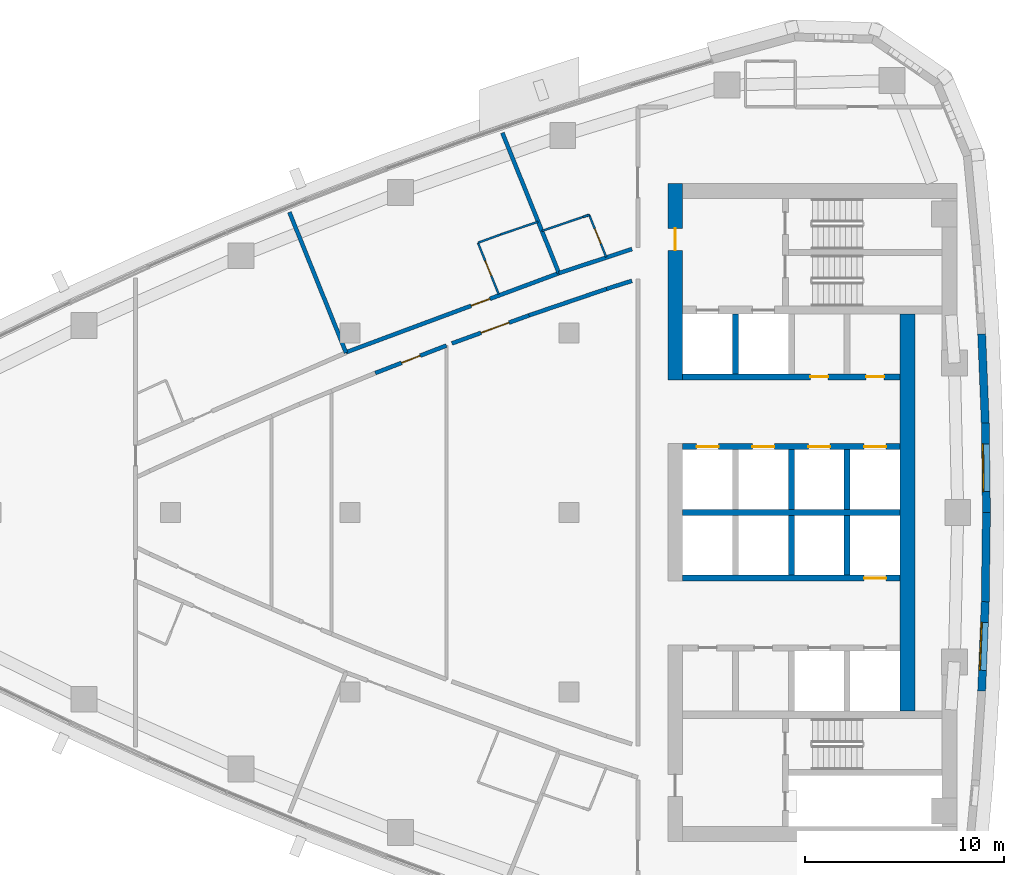
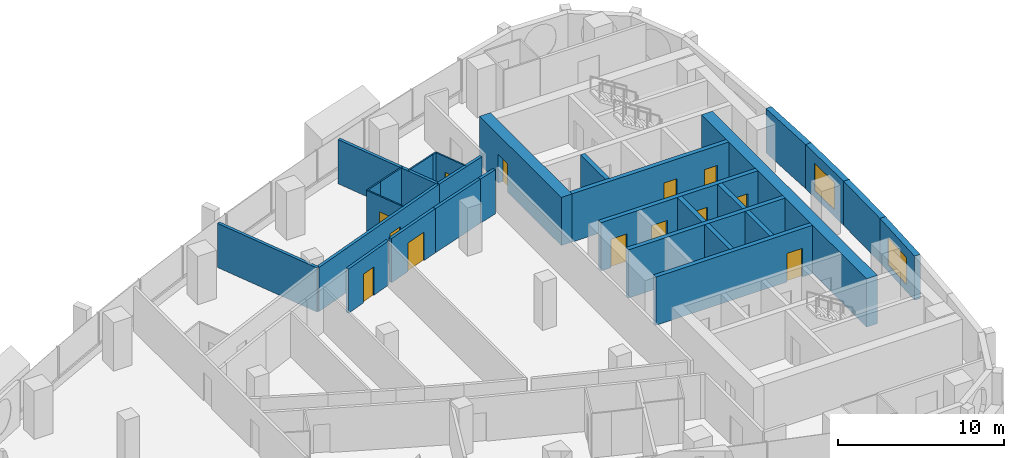
# One storey, part 11 of 17: 29 walls, 13 doors, 2 windows, 15 openings.
"""IFC4 building model written with IfcOpenShell, lengths in metres."""

from ifc_helpers import new_model, si_unit, direction, frame, frame_2d, origin, place, context, subcontext, project, spatial, polyline, rectangle, outline, extrude, material, layer, layer_set, type_object, element, fill, save


model = new_model("IFC4")

# Units and contexts
model_context = context("Model", 3, precision=1e-05, world=origin(), true_north=direction((0.0, 1.0)))
body_context = subcontext(model_context, "Body", "Model", "MODEL_VIEW")
ifc_project = project(units=[si_unit("LENGTHUNIT", "METRE"), si_unit("AREAUNIT", "SQUARE_METRE"), si_unit("VOLUMEUNIT", "CUBIC_METRE"), si_unit("PLANEANGLEUNIT", "RADIAN"), si_unit("MASSUNIT", "GRAM", prefix="KILO")], contexts=[model_context])

# Site, building, storey
site_placement = place(None, origin())
site = spatial("IfcSite", under=ifc_project, at=site_placement, CompositionType="ELEMENT")
building_placement = place(site_placement, origin())
building = spatial("IfcBuilding", under=site, at=building_placement, Name="Ostrand Prow Hotel Tower", CompositionType="ELEMENT")
storey_placement = place(building_placement, frame((0.0, 0.0, 182.60009765625)))
storey = spatial("IfcBuildingStorey", under=building, at=storey_placement, Name="L45", CompositionType="ELEMENT", Elevation=182.60009765625)

# Wall
ifc_material_1 = material(Name="Concrete C60/75", Category="concrete")
ifc_layer_1 = layer(ifc_material_1, 0.300048828125)
ifc_layer_set_1 = layer_set([ifc_layer_1], Name="Concrete C60/75")
wall_type_1 = type_object("IfcWallType", Name="Core wall 300 C60/75", PredefinedType="SHEAR", material=ifc_layer_set_1)
wall_1_placement = place(storey_placement, frame((50.699951171875, 0.0, 0.0), z_axis=(0.0, 0.0, 1.0), x_axis=(1.0, 0.0, 0.0)))
element("IfcWall", 1, at=wall_1_placement, inside=storey, type_object=wall_type_1, Name="Core wall PW-C", PredefinedType="SHEAR", context=body_context, shape_type="SweptSolid", body=[
    extrude(rectangle(XDim=10.900146484375, YDim=0.300048828125, at=frame_2d((5.4501953125, 0.0))), origin(), (0.0, 0.0, 1.0), 3.5498046875),
])

# Wall, openings, doors
wall_2_placement = place(storey_placement, frame((50.699951171875, 3.300048828125, 0.0), z_axis=(0.0, 0.0, 1.0), x_axis=(1.0, 0.0, 0.0)))
wall_2 = element("IfcWall", 2, at=wall_2_placement, inside=storey, type_object=wall_type_1, Name="Core wall PW-L1-N", PredefinedType="SHEAR", context=body_context, shape_type="SweptSolid", body=[
    extrude(rectangle(XDim=10.900146484375, YDim=0.300048828125, at=frame_2d((5.4501953125, 0.0))), origin(), (0.0, 0.0, 1.0), 3.5498046875),
])
opening_1_placement = place(wall_2_placement, frame((0.699951171875, 0.0, 0.0)))
opening_1 = element("IfcOpeningElement", 3, at=opening_1_placement, cuts=wall_2, Name="Opening LD", PredefinedType="OPENING", context=body_context, shape_type="SweptSolid", body=[
    extrude(rectangle(XDim=1.10009765625, YDim=2.10009765625, at=frame_2d((0.550048828125, 1.050048828125))), frame((0.0, 0.159912109375, 0.0), z_axis=(0.0, -1.0, 0.0), x_axis=(1.0, 0.0, 0.0)), (0.0, 0.0, 1.0), 0.320068359375),
])
opening_2_placement = place(wall_2_placement, frame((3.5, 0.0, 0.0)))
opening_2 = element("IfcOpeningElement", 4, at=opening_2_placement, cuts=wall_2, Name="Opening LD", PredefinedType="OPENING", context=body_context, shape_type="SweptSolid", body=[
    extrude(rectangle(XDim=1.10009765625, YDim=2.10009765625, at=frame_2d((0.550048828125, 1.050048828125))), frame((0.0, 0.159912109375, 0.0), z_axis=(0.0, -1.0, 0.0), x_axis=(1.0, 0.0, 0.0)), (0.0, 0.0, 1.0), 0.320068359375),
])
opening_3_placement = place(wall_2_placement, frame((6.300048828125, 0.0, 0.0)))
opening_3 = element("IfcOpeningElement", 5, at=opening_3_placement, cuts=wall_2, Name="Opening LD", PredefinedType="OPENING", context=body_context, shape_type="SweptSolid", body=[
    extrude(rectangle(XDim=1.10009765625, YDim=2.10009765625, at=frame_2d((0.550048828125, 1.050048828125))), frame((0.0, 0.159912109375, 0.0), z_axis=(0.0, -1.0, 0.0), x_axis=(1.0, 0.0, 0.0)), (0.0, 0.0, 1.0), 0.320068359375),
])
opening_4_placement = place(wall_2_placement, frame((9.10009765625, 0.0, 0.0)))
opening_4 = element("IfcOpeningElement", 6, at=opening_4_placement, cuts=wall_2, Name="Opening LD", PredefinedType="OPENING", context=body_context, shape_type="SweptSolid", body=[
    extrude(rectangle(XDim=1.10009765625, YDim=2.10009765625, at=frame_2d((0.550048828125, 1.050048828125))), frame((0.0, 0.159912109375, 0.0), z_axis=(0.0, -1.0, 0.0), x_axis=(1.0, 0.0, 0.0)), (0.0, 0.0, 1.0), 0.320068359375),
])
ifc_material_2 = material(Name="Stainless steel door", Category="steel")
door_type_1 = type_object("IfcDoorType", Name="Lift landing door 1100", OperationType="DOUBLE_DOOR_SLIDING", PredefinedType="DOOR", material=ifc_material_2)
door_1_placement = place(opening_1_placement, origin())
door_1 = element("IfcDoor", 7, at=door_1_placement, inside=storey, type_object=door_type_1, Name="LIFT LANDING DOOR", OperationType="DOUBLE_DOOR_SLIDING", OverallHeight=2.10009765625, OverallWidth=1.10009765625, PredefinedType="DOOR", context=body_context, shape_type="SweptSolid", body=[
    extrude(rectangle(XDim=1.10009765625, YDim=2.10009765625, at=frame_2d((0.550048828125, 1.050048828125))), frame((0.0, 0.02490234375, 0.0), z_axis=(0.0, -1.0, 0.0), x_axis=(1.0, 0.0, 0.0)), (0.0, 0.0, 1.0), 0.050048828125),
])
fill(opening_1, door_1)
door_2_placement = place(opening_2_placement, origin())
door_2 = element("IfcDoor", 8, at=door_2_placement, inside=storey, type_object=door_type_1, Name="LIFT LANDING DOOR", OperationType="DOUBLE_DOOR_SLIDING", OverallHeight=2.10009765625, OverallWidth=1.10009765625, PredefinedType="DOOR", context=body_context, shape_type="SweptSolid", body=[
    extrude(rectangle(XDim=1.10009765625, YDim=2.10009765625, at=frame_2d((0.550048828125, 1.050048828125))), frame((0.0, 0.02490234375, 0.0), z_axis=(0.0, -1.0, 0.0), x_axis=(1.0, 0.0, 0.0)), (0.0, 0.0, 1.0), 0.050048828125),
])
fill(opening_2, door_2)
door_3_placement = place(opening_3_placement, origin())
door_3 = element("IfcDoor", 9, at=door_3_placement, inside=storey, type_object=door_type_1, Name="LIFT LANDING DOOR", OperationType="DOUBLE_DOOR_SLIDING", OverallHeight=2.10009765625, OverallWidth=1.10009765625, PredefinedType="DOOR", context=body_context, shape_type="SweptSolid", body=[
    extrude(rectangle(XDim=1.10009765625, YDim=2.10009765625, at=frame_2d((0.550048828125, 1.050048828125))), frame((0.0, 0.02490234375, 0.0), z_axis=(0.0, -1.0, 0.0), x_axis=(1.0, 0.0, 0.0)), (0.0, 0.0, 1.0), 0.050048828125),
])
fill(opening_3, door_3)
door_4_placement = place(opening_4_placement, origin())
door_4 = element("IfcDoor", 10, at=door_4_placement, inside=storey, type_object=door_type_1, Name="LIFT LANDING DOOR", OperationType="DOUBLE_DOOR_SLIDING", OverallHeight=2.10009765625, OverallWidth=1.10009765625, PredefinedType="DOOR", context=body_context, shape_type="SweptSolid", body=[
    extrude(rectangle(XDim=1.10009765625, YDim=2.10009765625, at=frame_2d((0.550048828125, 1.050048828125))), frame((0.0, 0.02490234375, 0.0), z_axis=(0.0, -1.0, 0.0), x_axis=(1.0, 0.0, 0.0)), (0.0, 0.0, 1.0), 0.050048828125),
])
fill(opening_4, door_4)

wall_3_placement = place(storey_placement, frame((50.699951171875, 6.800048828125, 0.0), z_axis=(0.0, 0.0, 1.0), x_axis=(1.0, 0.0, 0.0)))
wall_3 = element("IfcWall", 11, at=wall_3_placement, inside=storey, type_object=wall_type_1, Name="Core wall PW-L2-N", PredefinedType="SHEAR", context=body_context, shape_type="SweptSolid", body=[
    extrude(rectangle(XDim=10.900146484375, YDim=0.300048828125, at=frame_2d((5.4501953125, 0.0))), origin(), (0.0, 0.0, 1.0), 3.5498046875),
])
opening_5_placement = place(wall_3_placement, frame((6.39990234375, 0.0, 0.0)))
opening_5 = element("IfcOpeningElement", 12, at=opening_5_placement, cuts=wall_3, Name="Opening FD2", PredefinedType="OPENING", context=body_context, shape_type="SweptSolid", body=[
    extrude(rectangle(XDim=0.89990234375, YDim=2.10009765625, at=frame_2d((0.449951171875, 1.050048828125))), frame((0.0, 0.159912109375, 0.0), z_axis=(0.0, -1.0, 0.0), x_axis=(1.0, 0.0, 0.0)), (0.0, 0.0, 1.0), 0.320068359375),
])
opening_6_placement = place(wall_3_placement, frame((9.199951171875, 0.0, 0.0)))
opening_6 = element("IfcOpeningElement", 13, at=opening_6_placement, cuts=wall_3, Name="Opening FD2", PredefinedType="OPENING", context=body_context, shape_type="SweptSolid", body=[
    extrude(rectangle(XDim=0.89990234375, YDim=2.10009765625, at=frame_2d((0.449951171875, 1.050048828125))), frame((0.0, 0.159912109375, 0.0), z_axis=(0.0, -1.0, 0.0), x_axis=(1.0, 0.0, 0.0)), (0.0, 0.0, 1.0), 0.320068359375),
])
ifc_material_3 = material(Name="Steel fire door", Category="steel")
door_type_2 = type_object("IfcDoorType", Name="Fire door 900 EI120", OperationType="SINGLE_SWING_LEFT", PredefinedType="DOOR", material=ifc_material_3)
door_5_placement = place(opening_5_placement, origin())
door_5 = element("IfcDoor", 14, at=door_5_placement, inside=storey, type_object=door_type_2, Name="DOOR", OperationType="SINGLE_SWING_LEFT", OverallHeight=2.10009765625, OverallWidth=0.89990234375, PredefinedType="DOOR", context=body_context, shape_type="SweptSolid", body=[
    extrude(rectangle(XDim=0.89990234375, YDim=2.10009765625, at=frame_2d((0.449951171875, 1.050048828125))), frame((0.0, 0.02490234375, 0.0), z_axis=(0.0, -1.0, 0.0), x_axis=(1.0, 0.0, 0.0)), (0.0, 0.0, 1.0), 0.050048828125),
])
fill(opening_5, door_5)
door_6_placement = place(opening_6_placement, origin())
door_6 = element("IfcDoor", 15, at=door_6_placement, inside=storey, type_object=door_type_2, Name="DOOR", OperationType="SINGLE_SWING_LEFT", OverallHeight=2.10009765625, OverallWidth=0.89990234375, PredefinedType="DOOR", context=body_context, shape_type="SweptSolid", body=[
    extrude(rectangle(XDim=0.89990234375, YDim=2.10009765625, at=frame_2d((0.449951171875, 1.050048828125))), frame((0.0, 0.02490234375, 0.0), z_axis=(0.0, -1.0, 0.0), x_axis=(1.0, 0.0, 0.0)), (0.0, 0.0, 1.0), 0.050048828125),
])
fill(opening_6, door_6)

# Walls
for number, where, z_axis, x_axis, name in (
    (16, (53.35009765625, 6.949951171875, 0.0), (0.0, 0.0, 1.0), (0.0, 1.0, 0.0), "Core wall PW-R1-NA"),
    (17, (56.14990234375, 0.14990234375, 0.0), (0.0, 0.0, 1.0), (0.0, 1.0, 0.0), "Core wall PW-R2-NB"),
    (18, (58.949951171875, 0.14990234375, 0.0), (0.0, 0.0, 1.0), (0.0, 1.0, 0.0), "Core wall PW-R3-NB"),
):
    element("IfcWall", number, at=place(storey_placement, frame(where, z_axis=z_axis, x_axis=x_axis)), inside=storey, type_object=wall_type_1, Name=name, PredefinedType="SHEAR", context=body_context, shape_type="SweptSolid", body=[
        extrude(rectangle(XDim=3.0, YDim=0.300048828125, at=frame_2d((1.5, 0.0))), origin(), (0.0, 0.0, 1.0), 3.5498046875),
    ])

# Wall, opening, door
wall_4_placement = place(storey_placement, frame((50.699951171875, -3.300048828125, 0.0), z_axis=(0.0, 0.0, 1.0), x_axis=(1.0, 0.0, 0.0)))
wall_4 = element("IfcWall", 19, at=wall_4_placement, inside=storey, type_object=wall_type_1, Name="Core wall PW-L1-S", PredefinedType="SHEAR", context=body_context, shape_type="SweptSolid", body=[
    extrude(rectangle(XDim=10.900146484375, YDim=0.300048828125, at=frame_2d((5.4501953125, 0.0))), origin(), (0.0, 0.0, 1.0), 3.5498046875),
])
opening_7_placement = place(wall_4_placement, frame((9.10009765625, 0.0, 0.0)))
opening_7 = element("IfcOpeningElement", 20, at=opening_7_placement, cuts=wall_4, Name="Opening LD", PredefinedType="OPENING", context=body_context, shape_type="SweptSolid", body=[
    extrude(rectangle(XDim=1.10009765625, YDim=2.10009765625, at=frame_2d((0.550048828125, 1.050048828125))), frame((0.0, 0.159912109375, 0.0), z_axis=(0.0, -1.0, 0.0), x_axis=(1.0, 0.0, 0.0)), (0.0, 0.0, 1.0), 0.320068359375),
])
door_7_placement = place(opening_7_placement, origin())
door_7 = element("IfcDoor", 21, at=door_7_placement, inside=storey, type_object=door_type_1, Name="LIFT LANDING DOOR", OperationType="DOUBLE_DOOR_SLIDING", OverallHeight=2.10009765625, OverallWidth=1.10009765625, PredefinedType="DOOR", context=body_context, shape_type="SweptSolid", body=[
    extrude(rectangle(XDim=1.10009765625, YDim=2.10009765625, at=frame_2d((0.550048828125, 1.050048828125))), frame((0.0, 0.02490234375, 0.0), z_axis=(0.0, -1.0, 0.0), x_axis=(1.0, 0.0, 0.0)), (0.0, 0.0, 1.0), 0.050048828125),
])
fill(opening_7, door_7)

# Walls
for number, where, z_axis, x_axis, name in (
    (22, (56.14990234375, -3.14990234375, 0.0), (0.0, 0.0, 1.0), (0.0, 1.0, 0.0), "Core wall PW-R2-SB"),
    (23, (58.949951171875, -3.14990234375, 0.0), (0.0, 0.0, 1.0), (0.0, 1.0, 0.0), "Core wall PW-R3-SB"),
):
    element("IfcWall", number, at=place(storey_placement, frame(where, z_axis=z_axis, x_axis=x_axis)), inside=storey, type_object=wall_type_1, Name=name, PredefinedType="SHEAR", context=body_context, shape_type="SweptSolid", body=[
        extrude(rectangle(XDim=3.0, YDim=0.300048828125, at=frame_2d((1.5, 0.0))), origin(), (0.0, 0.0, 1.0), 3.5498046875),
    ])

# Wall, opening, door
ifc_material_4 = material(Name="Concrete C60/75", Category="concrete")
ifc_layer_2 = layer(ifc_material_4, 0.75)
ifc_layer_set_2 = layer_set([ifc_layer_2], Name="Concrete C60/75")
wall_type_2 = type_object("IfcWallType", Name="Core wall 750 C60/75", PredefinedType="SHEAR", material=ifc_layer_set_2)
wall_5_placement = place(storey_placement, frame((50.324951171875, 6.64990234375, 0.0), z_axis=(0.0, 0.0, 1.0), x_axis=(0.0, 1.0, 0.0)))
wall_5 = element("IfcWall", 24, at=wall_5_placement, inside=storey, type_object=wall_type_2, Name="Core wall CW-W-N", PredefinedType="SHEAR", context=body_context, shape_type="SweptSolid", body=[
    extrude(rectangle(XDim=9.85009765625, YDim=0.75, at=frame_2d((4.925048828125, 0.0))), origin(), (0.0, 0.0, 1.0), 3.5498046875),
])
opening_8_placement = place(wall_5_placement, frame((6.5, 0.0, 0.0)))
opening_8 = element("IfcOpeningElement", 25, at=opening_8_placement, cuts=wall_5, Name="Opening FD1", PredefinedType="OPENING", context=body_context, shape_type="SweptSolid", body=[
    extrude(rectangle(XDim=1.10009765625, YDim=2.10009765625, at=frame_2d((0.550048828125, 1.050048828125))), frame((0.0, 0.385009765625, 0.0), z_axis=(0.0, -1.0, 0.0), x_axis=(1.0, 0.0, 0.0)), (0.0, 0.0, 1.0), 0.77001953125),
])
ifc_material_5 = material(Name="Steel fire door", Category="steel")
door_type_3 = type_object("IfcDoorType", Name="Fire door 1100 EI120", OperationType="SINGLE_SWING_RIGHT", PredefinedType="DOOR", material=ifc_material_5)
door_8_placement = place(opening_8_placement, origin())
door_8 = element("IfcDoor", 26, at=door_8_placement, inside=storey, type_object=door_type_3, Name="FIRE DOOR", OperationType="SINGLE_SWING_RIGHT", OverallHeight=2.10009765625, OverallWidth=1.10009765625, PredefinedType="DOOR", context=body_context, shape_type="SweptSolid", body=[
    extrude(rectangle(XDim=1.10009765625, YDim=2.10009765625, at=frame_2d((0.550048828125, 1.050048828125))), frame((0.0, 0.02490234375, 0.0), z_axis=(0.0, -1.0, 0.0), x_axis=(1.0, 0.0, 0.0)), (0.0, 0.0, 1.0), 0.050048828125),
])
fill(opening_8, door_8)

# Walls
wall_6_placement = place(storey_placement, frame((61.97509765625, -9.949951171875, 0.0), z_axis=(0.0, 0.0, 1.0), x_axis=(0.0, 1.0, 0.0)))
element("IfcWall", 27, at=wall_6_placement, inside=storey, type_object=wall_type_2, Name="Core wall CW-E-C", PredefinedType="SHEAR", context=body_context, shape_type="SweptSolid", body=[
    extrude(rectangle(XDim=19.89990234375, YDim=0.75, at=frame_2d((9.949951171875, 0.0))), origin(), (0.0, 0.0, 1.0), 3.5498046875),
])
ifc_material_6 = material(Name="Plasterboard partition")
ifc_layer_3 = layer(ifc_material_6, 0.10009765625)
ifc_layer_set_3 = layer_set([ifc_layer_3], Name="Plasterboard partition")
wall_type_3 = type_object("IfcWallType", Name="Partition 100 bathroom wall", PredefinedType="PARTITIONING", material=ifc_layer_set_3)
wall_7_placement = place(storey_placement, frame((40.425537109375, 13.531982421875, 0.0), z_axis=(0.0, 0.0, 1.0), x_axis=(0.939781557461, 0.341775692897, 0.0)))
element("IfcWall", 28, at=wall_7_placement, inside=storey, type_object=wall_type_3, Name="BATHROOM WALL", PredefinedType="PARTITIONING", context=body_context, shape_type="SweptSolid", body=[
    extrude(rectangle(XDim=1.201416015625, YDim=0.10009765625, at=frame_2d((0.6005859375, 0.0))), origin(), (0.0, 0.0, 1.0), 3.25),
])
wall_8_placement = place(storey_placement, frame((41.554931640625, 13.942626953125, 0.0), z_axis=(0.0, 0.0, 1.0), x_axis=(0.94641533286, 0.322952036265, 0.0)))
element("IfcWall", 29, at=wall_8_placement, inside=storey, type_object=wall_type_3, Name="BATHROOM WALL", PredefinedType="PARTITIONING", context=body_context, shape_type="SweptSolid", body=[
    extrude(rectangle(XDim=2.001708984375, YDim=0.10009765625, at=frame_2d((1.0009765625, 0.0))), origin(), (0.0, 0.0, 1.0), 3.25),
])

# Wall, opening, door
wall_9_placement = place(storey_placement, frame((41.46435546875, 10.954833984375, 0.0), z_axis=(0.0, 0.0, 1.0), x_axis=(-0.373889095325, 0.927473419779, 0.0)))
wall_9 = element("IfcWall", 30, at=wall_9_placement, inside=storey, type_object=wall_type_3, Name="BATHROOM WALL", PredefinedType="PARTITIONING", context=body_context, shape_type="SweptSolid", body=[
    extrude(rectangle(XDim=2.7783203125, YDim=0.10009765625, at=frame_2d((1.38916015625, 0.0))), origin(), (0.0, 0.0, 1.0), 3.25),
])
opening_9_placement = place(wall_9_placement, frame((1.0, 0.0, 0.0)))
opening_9 = element("IfcOpeningElement", 31, at=opening_9_placement, cuts=wall_9, Name="Opening D2", PredefinedType="OPENING", context=body_context, shape_type="SweptSolid", body=[
    extrude(rectangle(XDim=0.800048828125, YDim=2.10009765625, at=frame_2d((0.39990234375, 1.050048828125))), frame((0.0, 0.06005859375, 0.0), z_axis=(0.0, -1.0, 0.0), x_axis=(1.0, 0.0, 0.0)), (0.0, 0.0, 1.0), 0.1201171875),
])
ifc_material_7 = material(Name="Timber door leaf", Category="wood")
door_type_4 = type_object("IfcDoorType", Name="Bathroom door 800", OperationType="SINGLE_SWING_LEFT", PredefinedType="DOOR", material=ifc_material_7)
door_9_placement = place(opening_9_placement, origin())
door_9 = element("IfcDoor", 32, at=door_9_placement, inside=storey, type_object=door_type_4, Name="DOOR", OperationType="SINGLE_SWING_LEFT", OverallHeight=2.10009765625, OverallWidth=0.800048828125, PredefinedType="DOOR", context=body_context, shape_type="SweptSolid", body=[
    extrude(rectangle(XDim=0.800048828125, YDim=2.10009765625, at=frame_2d((0.39990234375, 1.050048828125))), frame((0.0, 0.02490234375, 0.0), z_axis=(0.0, -1.0, 0.0), x_axis=(1.0, 0.0, 0.0)), (0.0, 0.0, 1.0), 0.050048828125),
])
fill(opening_9, door_9)

# Walls
wall_10_placement = place(storey_placement, frame((43.63671875, 14.124755859375, 0.0), z_axis=(0.0, 0.0, 1.0), x_axis=(0.946442988685, 0.322870979136, 0.0)))
element("IfcWall", 33, at=wall_10_placement, inside=storey, type_object=wall_type_3, Name="BATHROOM WALL", PredefinedType="PARTITIONING", context=body_context, shape_type="SweptSolid", body=[
    extrude(rectangle(XDim=2.16943359375, YDim=0.10009765625, at=frame_2d((1.084716796875, 0.0))), origin(), (0.0, 0.0, 1.0), 3.25),
])
wall_11_placement = place(storey_placement, frame((45.68994140625, 14.8251953125, 0.0), z_axis=(0.0, 0.0, 1.0), x_axis=(0.952618746207, 0.304166935045, 0.0)))
element("IfcWall", 34, at=wall_11_placement, inside=storey, type_object=wall_type_3, Name="BATHROOM WALL", PredefinedType="PARTITIONING", context=body_context, shape_type="SweptSolid", body=[
    extrude(rectangle(XDim=0.334716796875, YDim=0.10009765625, at=frame_2d((0.16748046875, 0.0))), origin(), (0.0, 0.0, 1.0), 3.25),
])

# Wall, opening, door
wall_12_placement = place(storey_placement, frame((46.0087890625, 14.927001953125, 0.0), z_axis=(0.0, 0.0, 1.0), x_axis=(0.373877855241, -0.927477950876, 0.0)))
wall_12 = element("IfcWall", 35, at=wall_12_placement, inside=storey, type_object=wall_type_3, Name="BATHROOM WALL", PredefinedType="PARTITIONING", context=body_context, shape_type="SweptSolid", body=[
    extrude(rectangle(XDim=2.283447265625, YDim=0.10009765625, at=frame_2d((1.1416015625, 0.0))), origin(), (0.0, 0.0, 1.0), 3.25),
])
opening_10_placement = place(wall_12_placement, frame((0.75, 0.0, 0.0)))
opening_10 = element("IfcOpeningElement", 36, at=opening_10_placement, cuts=wall_12, Name="Opening D2", PredefinedType="OPENING", context=body_context, shape_type="SweptSolid", body=[
    extrude(rectangle(XDim=0.800048828125, YDim=2.10009765625, at=frame_2d((0.39990234375, 1.050048828125))), frame((0.0, 0.06005859375, 0.0), z_axis=(0.0, -1.0, 0.0), x_axis=(1.0, 0.0, 0.0)), (0.0, 0.0, 1.0), 0.1201171875),
])
door_10_placement = place(opening_10_placement, origin())
door_10 = element("IfcDoor", 37, at=door_10_placement, inside=storey, type_object=door_type_4, Name="DOOR", OperationType="SINGLE_SWING_LEFT", OverallHeight=2.10009765625, OverallWidth=0.800048828125, PredefinedType="DOOR", context=body_context, shape_type="SweptSolid", body=[
    extrude(rectangle(XDim=0.800048828125, YDim=2.10009765625, at=frame_2d((0.39990234375, 1.050048828125))), frame((0.0, 0.02490234375, 0.0), z_axis=(0.0, -1.0, 0.0), x_axis=(1.0, 0.0, 0.0)), (0.0, 0.0, 1.0), 0.050048828125),
])
fill(opening_10, door_10)

ifc_material_8 = material(Name="Plasterboard partition")
ifc_layer_4 = layer(ifc_material_8, 0.199951171875)
ifc_layer_set_4 = layer_set([ifc_layer_4], Name="Plasterboard partition")
wall_type_4 = type_object("IfcWallType", Name="Partition 200 corridor wall", PredefinedType="PARTITIONING", material=ifc_layer_set_4)
wall_13_placement = place(storey_placement, frame((44.490478515625, 12.007080078125, 0.0), z_axis=(0.0, 0.0, 1.0), x_axis=(-0.937301234234, -0.348520295396, 0.0)))
wall_13 = element("IfcWall", 38, at=wall_13_placement, inside=storey, type_object=wall_type_4, Name="CORRIDOR WALL", PredefinedType="PARTITIONING", context=body_context, shape_type="SweptSolid", body=[
    extrude(rectangle(XDim=11.404296875, YDim=0.199951171875, at=frame_2d((5.7021484375, 0.0))), origin(), (0.0, 0.0, 1.0), 3.25),
])
opening_11_placement = place(wall_13_placement, frame((3.699951171875, 0.0, 0.0)))
opening_11 = element("IfcOpeningElement", 39, at=opening_11_placement, cuts=wall_13, Name="Opening D1R", PredefinedType="OPENING", context=body_context, shape_type="SweptSolid", body=[
    extrude(rectangle(XDim=1.0, YDim=2.10009765625, at=frame_2d((0.5, 1.050048828125))), frame((0.0, 0.10986328125, 0.0), z_axis=(0.0, -1.0, 0.0), x_axis=(1.0, 0.0, 0.0)), (0.0, 0.0, 1.0), 0.219970703125),
])
ifc_material_9 = material(Name="Timber door leaf", Category="wood")
door_type_5 = type_object("IfcDoorType", Name="Guest room door 1000 right", OperationType="SINGLE_SWING_RIGHT", PredefinedType="DOOR", material=ifc_material_9)
door_11_placement = place(opening_11_placement, origin())
door_11 = element("IfcDoor", 40, at=door_11_placement, inside=storey, type_object=door_type_5, Name="DOOR", OperationType="SINGLE_SWING_RIGHT", OverallHeight=2.10009765625, OverallWidth=1.0, PredefinedType="DOOR", context=body_context, shape_type="SweptSolid", body=[
    extrude(rectangle(XDim=1.0, YDim=2.10009765625, at=frame_2d((0.5, 1.050048828125))), frame((0.0, 0.02490234375, 0.0), z_axis=(0.0, -1.0, 0.0), x_axis=(1.0, 0.0, 0.0)), (0.0, 0.0, 1.0), 0.050048828125),
])
fill(opening_11, door_11)

wall_14_placement = place(storey_placement, frame((35.275634765625, 6.994384765625, 0.0), z_axis=(0.0, 0.0, 1.0), x_axis=(0.932681040007, 0.360702200731, 0.0)))
wall_14 = element("IfcWall", 41, at=wall_14_placement, inside=storey, type_object=wall_type_4, Name="CORRIDOR WALL", PredefinedType="PARTITIONING", context=body_context, shape_type="SweptSolid", body=[
    extrude(rectangle(XDim=3.824951171875, YDim=0.199951171875, at=frame_2d((1.91259765625, 0.0))), origin(), (0.0, 0.0, 1.0), 3.25),
])
opening_12_placement = place(wall_14_placement, frame((1.41259765625, 0.0, 0.0)))
opening_12 = element("IfcOpeningElement", 42, at=opening_12_placement, cuts=wall_14, Name="Opening D1", PredefinedType="OPENING", context=body_context, shape_type="SweptSolid", body=[
    extrude(rectangle(XDim=1.0, YDim=2.10009765625, at=frame_2d((0.5, 1.050048828125))), frame((0.0, 0.10986328125, 0.0), z_axis=(0.0, -1.0, 0.0), x_axis=(1.0, 0.0, 0.0)), (0.0, 0.0, 1.0), 0.219970703125),
])
ifc_material_10 = material(Name="Timber door leaf", Category="wood")
door_type_6 = type_object("IfcDoorType", Name="Guest room door 1000", OperationType="SINGLE_SWING_LEFT", PredefinedType="DOOR", material=ifc_material_10)
door_12_placement = place(opening_12_placement, origin())
door_12 = element("IfcDoor", 43, at=door_12_placement, inside=storey, type_object=door_type_6, Name="DOOR", OperationType="SINGLE_SWING_LEFT", OverallHeight=2.10009765625, OverallWidth=1.0, PredefinedType="DOOR", context=body_context, shape_type="SweptSolid", body=[
    extrude(rectangle(XDim=1.0, YDim=2.10009765625, at=frame_2d((0.5, 1.050048828125))), frame((0.0, 0.02490234375, 0.0), z_axis=(0.0, -1.0, 0.0), x_axis=(1.0, 0.0, 0.0)), (0.0, 0.0, 1.0), 0.050048828125),
])
fill(opening_12, door_12)

wall_15_placement = place(storey_placement, frame((39.115478515625, 8.4794921875, 0.0), z_axis=(0.0, 0.0, 1.0), x_axis=(0.939727613335, 0.341923986779, 0.0)))
wall_15 = element("IfcWall", 44, at=wall_15_placement, inside=storey, type_object=wall_type_4, Name="CORRIDOR WALL", PredefinedType="PARTITIONING", context=body_context, shape_type="SweptSolid", body=[
    extrude(rectangle(XDim=4.116943359375, YDim=0.199951171875, at=frame_2d((2.05859375, 0.0))), origin(), (0.0, 0.0, 1.0), 3.25),
])
opening_13_placement = place(wall_15_placement, frame((1.55859375, 0.0, 0.0)))
opening_13 = element("IfcOpeningElement", 45, at=opening_13_placement, cuts=wall_15, Name="Opening D15", PredefinedType="OPENING", context=body_context, shape_type="SweptSolid", body=[
    extrude(rectangle(XDim=1.5, YDim=2.10009765625, at=frame_2d((0.75, 1.050048828125))), frame((0.0, 0.10986328125, 0.0), z_axis=(0.0, -1.0, 0.0), x_axis=(1.0, 0.0, 0.0)), (0.0, 0.0, 1.0), 0.219970703125),
])
ifc_material_11 = material(Name="Timber door leaf", Category="wood")
door_type_7 = type_object("IfcDoorType", Name="Double door 1500", OperationType="DOUBLE_DOOR_SINGLE_SWING", PredefinedType="DOOR", material=ifc_material_11)
door_13_placement = place(opening_13_placement, origin())
door_13 = element("IfcDoor", 46, at=door_13_placement, inside=storey, type_object=door_type_7, Name="DOOR", OperationType="DOUBLE_DOOR_SINGLE_SWING", OverallHeight=2.10009765625, OverallWidth=1.5, PredefinedType="DOOR", context=body_context, shape_type="SweptSolid", body=[
    extrude(rectangle(XDim=1.5, YDim=2.10009765625, at=frame_2d((0.75, 1.050048828125))), frame((0.0, 0.02490234375, 0.0), z_axis=(0.0, -1.0, 0.0), x_axis=(1.0, 0.0, 0.0)), (0.0, 0.0, 1.0), 0.050048828125),
])
fill(opening_13, door_13)

# Walls
wall_16_placement = place(storey_placement, frame((42.984375, 9.88720703125, 0.0), z_axis=(0.0, 0.0, 1.0), x_axis=(0.946436071896, 0.322891253852, 0.0)))
element("IfcWall", 47, at=wall_16_placement, inside=storey, type_object=wall_type_4, Name="CORRIDOR WALL", PredefinedType="PARTITIONING", context=body_context, shape_type="SweptSolid", body=[
    extrude(rectangle(XDim=4.116943359375, YDim=0.199951171875, at=frame_2d((2.05859375, 0.0))), origin(), (0.0, 0.0, 1.0), 3.25),
])
wall_17_placement = place(storey_placement, frame((48.14990234375, 13.21337890625, 0.0), z_axis=(0.0, 0.0, 1.0), x_axis=(-0.949729856115, -0.313070599711, 0.0)))
element("IfcWall", 48, at=wall_17_placement, inside=storey, type_object=wall_type_4, Name="CORRIDOR WALL", PredefinedType="PARTITIONING", context=body_context, shape_type="SweptSolid", body=[
    extrude(rectangle(XDim=3.85302734375, YDim=0.199951171875, at=frame_2d((1.926513671875, 0.0))), origin(), (0.0, 0.0, 1.0), 3.25),
])
wall_18_placement = place(storey_placement, frame((46.880859375, 11.216552734375, 0.0), z_axis=(0.0, 0.0, 1.0), x_axis=(0.952761948983, 0.303718074157, 0.0)))
element("IfcWall", 49, at=wall_18_placement, inside=storey, type_object=wall_type_4, Name="CORRIDOR WALL", PredefinedType="PARTITIONING", context=body_context, shape_type="SweptSolid", body=[
    extrude(rectangle(XDim=1.33203125, YDim=0.199951171875, at=frame_2d((0.666015625, 0.0))), origin(), (0.0, 0.0, 1.0), 3.25),
])
ifc_material_12 = material(Name="Plasterboard partition")
ifc_layer_5 = layer(ifc_material_12, 0.199951171875)
ifc_layer_set_5 = layer_set([ifc_layer_5], Name="Plasterboard partition")
wall_type_5 = type_object("IfcWallType", Name="Partition 200 key partition", PredefinedType="PARTITIONING", material=ifc_layer_set_5)
wall_19_placement = place(storey_placement, frame((33.80859375, 8.013916015625, 0.0), z_axis=(0.0, 0.0, 1.0), x_axis=(-0.373887223455, 0.927474174378, 0.0)))
element("IfcWall", 50, at=wall_19_placement, inside=storey, type_object=wall_type_5, Name="KEY PARTITION", PredefinedType="PARTITIONING", context=body_context, shape_type="SweptSolid", body=[
    extrude(rectangle(XDim=7.60009765625, YDim=0.199951171875, at=frame_2d((3.800048828125, 0.0))), origin(), (0.0, 0.0, 1.0), 3.25),
])
wall_20_placement = place(storey_placement, frame((44.497802734375, 11.98828125, 0.0), z_axis=(0.0, 0.0, 1.0), x_axis=(-0.373877998371, 0.927477893178, 0.0)))
element("IfcWall", 51, at=wall_20_placement, inside=storey, type_object=wall_type_5, Name="KEY PARTITION", PredefinedType="PARTITIONING", context=body_context, shape_type="SweptSolid", body=[
    extrude(rectangle(XDim=7.611328125, YDim=0.199951171875, at=frame_2d((3.8056640625, 0.0))), origin(), (0.0, 0.0, 1.0), 3.25),
])

# Wall, opening, window
ifc_material_13 = material(Name="Precast concrete C40/50", Category="concrete")
ifc_layer_6 = layer(ifc_material_13, 0.39990234375)
ifc_layer_set_6 = layer_set([ifc_layer_6], Name="Precast concrete C40/50")
wall_type_6 = type_object("IfcWallType", Name="Stone-faced precast wall 400 mm", PredefinedType="NOTDEFINED", material=ifc_layer_set_6)
wall_21_placement = place(storey_placement, frame((65.700439453125, -8.957763671875, 0.0), z_axis=(0.0, 0.0, 1.0), x_axis=(0.040155165338, 0.999193456092, 0.0)))
wall_21 = element("IfcWall", 52, at=wall_21_placement, inside=storey, type_object=wall_type_6, Name="Stone-faced wall back 7", PredefinedType="NOTDEFINED", context=body_context, shape_type="SweptSolid", body=[
    extrude(outline(polyline([(-0.002685546875, -0.199951171875), (4.483642578125, -0.199951171875), (4.478271484375, 0.199951171875), (0.002685546875, 0.199951171875), (-0.002685546875, -0.199951171875)])), origin(), (0.0, 0.0, 1.0), 3.25),
])
opening_14_placement = place(wall_21_placement, frame((1.040283203125, 0.0, 0.5)))
opening_14 = element("IfcOpeningElement", 53, at=opening_14_placement, cuts=wall_21, Name="Opening WA1", PredefinedType="OPENING", context=body_context, shape_type="SweptSolid", body=[
    extrude(rectangle(XDim=2.39990234375, YDim=2.0, at=frame_2d((1.199951171875, 1.0))), frame((0.0, 0.2099609375, 0.0), z_axis=(0.0, -1.0, 0.0), x_axis=(1.0, 0.0, 0.0)), (0.0, 0.0, 1.0), 0.419921875),
])
ifc_material_14 = material(Name="Insulated glass in bronze frame", Category="glass")
window_type = type_object("IfcWindowType", Name="Amenity picture window 2400x2000", PartitioningType="SINGLE_PANEL", PredefinedType="WINDOW", material=ifc_material_14)
window_1_placement = place(opening_14_placement, origin())
window_1 = element("IfcWindow", 54, at=window_1_placement, inside=storey, type_object=window_type, Name="Window back 7.1", OverallHeight=2.0, OverallWidth=2.39990234375, PartitioningType="SINGLE_PANEL", PredefinedType="WINDOW", context=body_context, shape_type="SweptSolid", body=[
    extrude(rectangle(XDim=2.39990234375, YDim=2.0, at=frame_2d((1.199951171875, 1.0))), frame((0.0, 0.169921875, 0.0), z_axis=(0.0, -1.0, 0.0), x_axis=(1.0, 0.0, 0.0)), (0.0, 0.0, 1.0), 0.06005859375),
])
fill(opening_14, window_1)

# Wall
wall_22_placement = place(storey_placement, frame((65.88037109375, -4.48046875, 0.0), z_axis=(0.0, 0.0, 1.0), x_axis=(0.013348854104, 0.999910900078, 0.0)))
element("IfcWall", 55, at=wall_22_placement, inside=storey, type_object=wall_type_6, Name="Stone-faced wall back 8", PredefinedType="NOTDEFINED", context=body_context, shape_type="SweptSolid", body=[
    extrude(outline(polyline([(-0.002685546875, -0.199951171875), (4.483642578125, -0.199951171875), (4.478271484375, 0.199951171875), (0.002685546875, 0.199951171875), (-0.002685546875, -0.199951171875)])), origin(), (0.0, 0.0, 1.0), 3.25),
])

# Wall, opening, window
wall_23_placement = place(storey_placement, frame((65.940185546875, 0.0, 0.0), z_axis=(0.0, 0.0, 1.0), x_axis=(-0.013348854104, 0.999910900078, 0.0)))
wall_23 = element("IfcWall", 56, at=wall_23_placement, inside=storey, type_object=wall_type_6, Name="Stone-faced wall back 9", PredefinedType="NOTDEFINED", context=body_context, shape_type="SweptSolid", body=[
    extrude(outline(polyline([(-0.002685546875, -0.199951171875), (4.483642578125, -0.199951171875), (4.478271484375, 0.199951171875), (0.002685546875, 0.199951171875), (-0.002685546875, -0.199951171875)])), origin(), (0.0, 0.0, 1.0), 3.25),
])
opening_15_placement = place(wall_23_placement, frame((1.040283203125, 0.0, 0.5)))
opening_15 = element("IfcOpeningElement", 57, at=opening_15_placement, cuts=wall_23, Name="Opening WA1", PredefinedType="OPENING", context=body_context, shape_type="SweptSolid", body=[
    extrude(rectangle(XDim=2.39990234375, YDim=2.0, at=frame_2d((1.199951171875, 1.0))), frame((0.0, 0.2099609375, 0.0), z_axis=(0.0, -1.0, 0.0), x_axis=(1.0, 0.0, 0.0)), (0.0, 0.0, 1.0), 0.419921875),
])
window_2_placement = place(opening_15_placement, origin())
window_2 = element("IfcWindow", 58, at=window_2_placement, inside=storey, type_object=window_type, Name="Window back 9.1", OverallHeight=2.0, OverallWidth=2.39990234375, PartitioningType="SINGLE_PANEL", PredefinedType="WINDOW", context=body_context, shape_type="SweptSolid", body=[
    extrude(rectangle(XDim=2.39990234375, YDim=2.0, at=frame_2d((1.199951171875, 1.0))), frame((0.0, 0.169921875, 0.0), z_axis=(0.0, -1.0, 0.0), x_axis=(1.0, 0.0, 0.0)), (0.0, 0.0, 1.0), 0.06005859375),
])
fill(opening_15, window_2)

# Wall
wall_24_placement = place(storey_placement, frame((65.88037109375, 4.48046875, 0.0), z_axis=(0.0, 0.0, 1.0), x_axis=(-0.040155165338, 0.999193456092, 0.0)))
element("IfcWall", 59, at=wall_24_placement, inside=storey, type_object=wall_type_6, Name="Stone-faced wall back 10", PredefinedType="NOTDEFINED", context=body_context, shape_type="SweptSolid", body=[
    extrude(outline(polyline([(-0.002685546875, -0.199951171875), (4.483642578125, -0.199951171875), (4.478271484375, 0.199951171875), (0.002685546875, 0.199951171875), (-0.002685546875, -0.199951171875)])), origin(), (0.0, 0.0, 1.0), 3.25),
])

save(model, "model.ifc")
